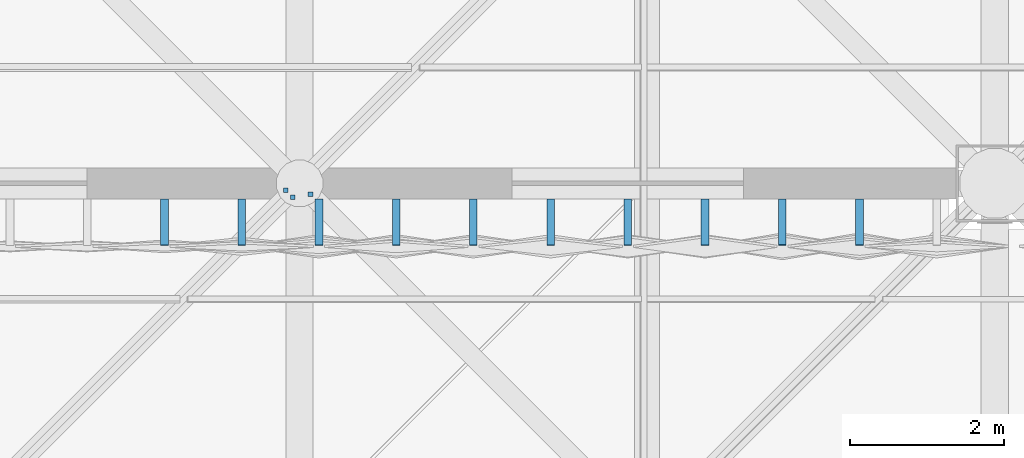
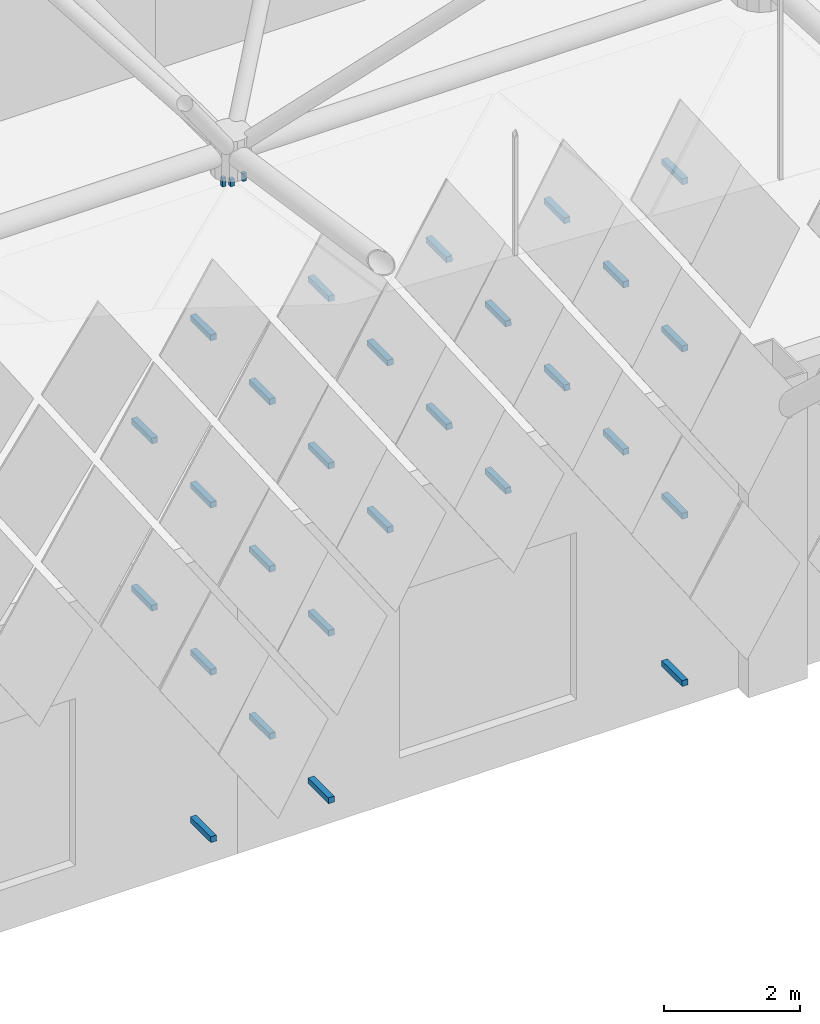
# One storey, part 350 of 437: 30 discrete accessories.
"""IFC4 building model written with IfcOpenShell, lengths in metres."""

from ifc_helpers import new_model, si_unit, direction, frame, origin, place, context, subcontext, project, spatial, polyline, outline, extrude, material, type_object, element, save


model = new_model("IFC4")

# Units and contexts
model_context = context("Model", 3, precision=1e-05, world=origin(), true_north=direction((0.0, 1.0)))
body_context = subcontext(model_context, "Body", "Model", "MODEL_VIEW")
ifc_project = project(units=[si_unit("LENGTHUNIT", "METRE"), si_unit("AREAUNIT", "SQUARE_METRE"), si_unit("VOLUMEUNIT", "CUBIC_METRE"), si_unit("PLANEANGLEUNIT", "RADIAN"), si_unit("MASSUNIT", "GRAM", prefix="KILO")], contexts=[model_context])

# Site, building, storey
site_placement = place(None, origin())
site = spatial("IfcSite", under=ifc_project, at=site_placement, CompositionType="ELEMENT")
building_placement = place(site_placement, origin())
building = spatial("IfcBuilding", under=site, at=building_placement, Name="Opaline Strait Convention Centre", CompositionType="ELEMENT")
storey_placement = place(building_placement, frame((0.0, 0.0, 11.5)))
storey = spatial("IfcBuildingStorey", under=building, at=storey_placement, Name="L02", CompositionType="ELEMENT", Elevation=11.5)

# Discrete accessories
ifc_material = material(Name="Steel Q355B", Category="steel")
discrete_accessory_type_1 = type_object("IfcDiscreteAccessoryType", Name="Soffit hanger 60x60 steel", PredefinedType="BRACKET", material=ifc_material)
discrete_accessory_1_placement = place(storey_placement, frame((0.0, 0.0, 12.00830078125)))
element("IfcDiscreteAccessory", 1, at=discrete_accessory_1_placement, inside=storey, type_object=discrete_accessory_type_1, Name="Soffit hanger", PredefinedType="BRACKET", context=body_context, shape_type="SweptSolid", body=[
    extrude(outline(polyline([(125.880859375, 53.791015625), (125.940673828125, 53.791015625), (125.940673828125, 53.85107421875), (125.880859375, 53.85107421875), (125.880859375, 53.791015625)])), origin(), (0.0, 0.0, 1.0), 0.131591796875),
])
discrete_accessory_2_placement = place(storey_placement, frame((0.0, 0.0, 11.97998046875)))
element("IfcDiscreteAccessory", 2, at=discrete_accessory_2_placement, inside=storey, type_object=discrete_accessory_type_1, Name="Soffit hanger", PredefinedType="BRACKET", context=body_context, shape_type="SweptSolid", body=[
    extrude(outline(polyline([(125.791015625, 53.880859375), (125.85107421875, 53.880859375), (125.85107421875, 53.940673828125), (125.791015625, 53.940673828125), (125.791015625, 53.880859375)])), origin(), (0.0, 0.0, 1.0), 0.159912109375),
])
discrete_accessory_3_placement = place(storey_placement, frame((0.0, 0.0, 11.9990234375)))
element("IfcDiscreteAccessory", 3, at=discrete_accessory_3_placement, inside=storey, type_object=discrete_accessory_type_1, Name="Soffit hanger", PredefinedType="BRACKET", context=body_context, shape_type="SweptSolid", body=[
    extrude(outline(polyline([(126.111328125, 53.82861328125), (126.17138671875, 53.82861328125), (126.17138671875, 53.888671875), (126.111328125, 53.888671875), (126.111328125, 53.82861328125)])), origin(), (0.0, 0.0, 1.0), 0.140869140625),
])
discrete_accessory_type_2 = type_object("IfcDiscreteAccessoryType", Name="Tile bracket 100x100 steel", PredefinedType="BRACKET", material=ifc_material)
discrete_accessory_4_placement = place(storey_placement, frame((125.199951171875, 53.800048828125, 0.89208984375), z_axis=(1.0, 0.0, 0.0), x_axis=(0.0, 1.0, 0.0)))
element("IfcDiscreteAccessory", 4, at=discrete_accessory_4_placement, inside=storey, type_object=discrete_accessory_type_2, Name="Tile bracket XT11 S", PredefinedType="BRACKET", context=body_context, shape_type="SweptSolid", body=[
    extrude(outline(polyline([(0.0, -0.050048828125), (0.0, 0.050048828125), (-0.59521484375, 0.050048828125), (-0.604736328125, -0.050048828125), (0.0, -0.050048828125)])), origin(), (0.0, 0.0, 1.0), 0.10009765625),
])
discrete_accessory_5_placement = place(storey_placement, frame((127.199951171875, 53.800048828125, 0.89208984375), z_axis=(1.0, 0.0, 0.0), x_axis=(0.0, 1.0, 0.0)))
element("IfcDiscreteAccessory", 5, at=discrete_accessory_5_placement, inside=storey, type_object=discrete_accessory_type_2, Name="Tile bracket XT12 S", PredefinedType="BRACKET", context=body_context, shape_type="SweptSolid", body=[
    extrude(outline(polyline([(0.0, -0.050048828125), (0.0, 0.050048828125), (-0.5947265625, 0.050048828125), (-0.605224609375, -0.050048828125), (0.0, -0.050048828125)])), origin(), (0.0, 0.0, 1.0), 0.10009765625),
])
discrete_accessory_6_placement = place(storey_placement, frame((133.199951171875, 53.800048828125, 0.89208984375), z_axis=(1.0, 0.0, 0.0), x_axis=(0.0, 1.0, 0.0)))
element("IfcDiscreteAccessory", 6, at=discrete_accessory_6_placement, inside=storey, type_object=discrete_accessory_type_2, Name="Tile bracket XT05 S", PredefinedType="BRACKET", context=body_context, shape_type="SweptSolid", body=[
    extrude(outline(polyline([(0.0, -0.050048828125), (0.0, 0.050048828125), (-0.597900390625, 0.050048828125), (-0.602294921875, -0.050048828125), (0.0, -0.050048828125)])), origin(), (0.0, 0.0, 1.0), 0.10009765625),
])
discrete_accessory_7_placement = place(storey_placement, frame((126.199951171875, 53.800048828125, 2.39208984375), z_axis=(1.0, 0.0, 0.0), x_axis=(0.0, 1.0, 0.0)))
element("IfcDiscreteAccessory", 7, at=discrete_accessory_7_placement, inside=storey, type_object=discrete_accessory_type_2, Name="Tile bracket XT12 S", PredefinedType="BRACKET", context=body_context, shape_type="SweptSolid", body=[
    extrude(outline(polyline([(0.0, -0.050048828125), (0.0, 0.050048828125), (-0.5947265625, 0.050048828125), (-0.605224609375, -0.050048828125), (0.0, -0.050048828125)])), origin(), (0.0, 0.0, 1.0), 0.10009765625),
])
discrete_accessory_8_placement = place(storey_placement, frame((125.199951171875, 53.800048828125, 3.89208984375), z_axis=(1.0, 0.0, 0.0), x_axis=(0.0, 1.0, 0.0)))
element("IfcDiscreteAccessory", 8, at=discrete_accessory_8_placement, inside=storey, type_object=discrete_accessory_type_2, Name="Tile bracket XT09 S", PredefinedType="BRACKET", context=body_context, shape_type="SweptSolid", body=[
    extrude(outline(polyline([(0.0, -0.050048828125), (0.0, 0.050048828125), (-0.595947265625, 0.050048828125), (-0.60400390625, -0.050048828125), (0.0, -0.050048828125)])), origin(), (0.0, 0.0, 1.0), 0.10009765625),
])
discrete_accessory_9_placement = place(storey_placement, frame((127.199951171875, 53.800048828125, 3.89208984375), z_axis=(1.0, 0.0, 0.0), x_axis=(0.0, 1.0, 0.0)))
element("IfcDiscreteAccessory", 9, at=discrete_accessory_9_placement, inside=storey, type_object=discrete_accessory_type_2, Name="Tile bracket XT12 S", PredefinedType="BRACKET", context=body_context, shape_type="SweptSolid", body=[
    extrude(outline(polyline([(0.0, -0.050048828125), (0.0, 0.050048828125), (-0.5947265625, 0.050048828125), (-0.605224609375, -0.050048828125), (0.0, -0.050048828125)])), origin(), (0.0, 0.0, 1.0), 0.10009765625),
])
discrete_accessory_10_placement = place(storey_placement, frame((133.199951171875, 53.800048828125, 3.89208984375), z_axis=(1.0, 0.0, 0.0), x_axis=(0.0, 1.0, 0.0)))
element("IfcDiscreteAccessory", 10, at=discrete_accessory_10_placement, inside=storey, type_object=discrete_accessory_type_2, Name="Tile bracket XT09 S", PredefinedType="BRACKET", context=body_context, shape_type="SweptSolid", body=[
    extrude(outline(polyline([(0.0, -0.050048828125), (0.0, 0.050048828125), (-0.595947265625, 0.050048828125), (-0.60400390625, -0.050048828125), (0.0, -0.050048828125)])), origin(), (0.0, 0.0, 1.0), 0.10009765625),
])
discrete_accessory_11_placement = place(storey_placement, frame((124.199951171875, 53.800048828125, 5.39208984375), z_axis=(1.0, 0.0, 0.0), x_axis=(0.0, 1.0, 0.0)))
element("IfcDiscreteAccessory", 11, at=discrete_accessory_11_placement, inside=storey, type_object=discrete_accessory_type_2, Name="Tile bracket XT06 S", PredefinedType="BRACKET", context=body_context, shape_type="SweptSolid", body=[
    extrude(outline(polyline([(0.0, -0.050048828125), (0.0, 0.050048828125), (-0.597412109375, 0.050048828125), (-0.6025390625, -0.050048828125), (0.0, -0.050048828125)])), origin(), (0.0, 0.0, 1.0), 0.10009765625),
])
discrete_accessory_12_placement = place(storey_placement, frame((126.199951171875, 53.800048828125, 5.39208984375), z_axis=(1.0, 0.0, 0.0), x_axis=(0.0, 1.0, 0.0)))
element("IfcDiscreteAccessory", 12, at=discrete_accessory_12_placement, inside=storey, type_object=discrete_accessory_type_2, Name="Tile bracket XT10 S", PredefinedType="BRACKET", context=body_context, shape_type="SweptSolid", body=[
    extrude(outline(polyline([(0.0, -0.050048828125), (0.0, 0.050048828125), (-0.595703125, 0.050048828125), (-0.604248046875, -0.050048828125), (0.0, -0.050048828125)])), origin(), (0.0, 0.0, 1.0), 0.10009765625),
])
for number, where, z_axis, x_axis, name in (
    (13, (128.199951171875, 53.800048828125, 5.39208984375), (1.0, 0.0, 0.0), (0.0, 1.0, 0.0), "Tile bracket XT12 S"),
    (14, (130.199951171875, 53.800048828125, 5.39208984375), (1.0, 0.0, 0.0), (0.0, 1.0, 0.0), "Tile bracket XT12 S"),
    (15, (132.199951171875, 53.800048828125, 5.39208984375), (1.0, 0.0, 0.0), (0.0, 1.0, 0.0), "Tile bracket XT12 S"),
):
    element("IfcDiscreteAccessory", number, at=place(storey_placement, frame(where, z_axis=z_axis, x_axis=x_axis)), inside=storey, type_object=discrete_accessory_type_2, Name=name, PredefinedType="BRACKET", context=body_context, shape_type="SweptSolid", body=[
        extrude(outline(polyline([(0.0, -0.050048828125), (0.0, 0.050048828125), (-0.5947265625, 0.050048828125), (-0.605224609375, -0.050048828125), (0.0, -0.050048828125)])), origin(), (0.0, 0.0, 1.0), 0.10009765625),
    ])
discrete_accessory_13_placement = place(storey_placement, frame((125.199951171875, 53.800048828125, 6.89208984375), z_axis=(1.0, 0.0, 0.0), x_axis=(0.0, 1.0, 0.0)))
element("IfcDiscreteAccessory", 16, at=discrete_accessory_13_placement, inside=storey, type_object=discrete_accessory_type_2, Name="Tile bracket XT06 S", PredefinedType="BRACKET", context=body_context, shape_type="SweptSolid", body=[
    extrude(outline(polyline([(0.0, -0.050048828125), (0.0, 0.050048828125), (-0.597412109375, 0.050048828125), (-0.6025390625, -0.050048828125), (0.0, -0.050048828125)])), origin(), (0.0, 0.0, 1.0), 0.10009765625),
])
discrete_accessory_14_placement = place(storey_placement, frame((127.199951171875, 53.800048828125, 6.89208984375), z_axis=(1.0, 0.0, 0.0), x_axis=(0.0, 1.0, 0.0)))
element("IfcDiscreteAccessory", 17, at=discrete_accessory_14_placement, inside=storey, type_object=discrete_accessory_type_2, Name="Tile bracket XT10 S", PredefinedType="BRACKET", context=body_context, shape_type="SweptSolid", body=[
    extrude(outline(polyline([(0.0, -0.050048828125), (0.0, 0.050048828125), (-0.595703125, 0.050048828125), (-0.604248046875, -0.050048828125), (0.0, -0.050048828125)])), origin(), (0.0, 0.0, 1.0), 0.10009765625),
])
for number, where, z_axis, x_axis, name in (
    (18, (129.199951171875, 53.800048828125, 6.89208984375), (1.0, 0.0, 0.0), (0.0, 1.0, 0.0), "Tile bracket XT12 S"),
    (19, (131.199951171875, 53.800048828125, 6.89208984375), (1.0, 0.0, 0.0), (0.0, 1.0, 0.0), "Tile bracket XT12 S"),
    (20, (133.199951171875, 53.800048828125, 6.89208984375), (1.0, 0.0, 0.0), (0.0, 1.0, 0.0), "Tile bracket XT12 S"),
):
    element("IfcDiscreteAccessory", number, at=place(storey_placement, frame(where, z_axis=z_axis, x_axis=x_axis)), inside=storey, type_object=discrete_accessory_type_2, Name=name, PredefinedType="BRACKET", context=body_context, shape_type="SweptSolid", body=[
        extrude(outline(polyline([(0.0, -0.050048828125), (0.0, 0.050048828125), (-0.5947265625, 0.050048828125), (-0.605224609375, -0.050048828125), (0.0, -0.050048828125)])), origin(), (0.0, 0.0, 1.0), 0.10009765625),
    ])
discrete_accessory_15_placement = place(storey_placement, frame((124.199951171875, 53.800048828125, 8.39208984375), z_axis=(1.0, 0.0, 0.0), x_axis=(0.0, 1.0, 0.0)))
element("IfcDiscreteAccessory", 21, at=discrete_accessory_15_placement, inside=storey, type_object=discrete_accessory_type_2, Name="Tile bracket XT04 S", PredefinedType="BRACKET", context=body_context, shape_type="SweptSolid", body=[
    extrude(outline(polyline([(0.0, -0.050048828125), (0.0, 0.050048828125), (-0.59814453125, 0.050048828125), (-0.601806640625, -0.050048828125), (0.0, -0.050048828125)])), origin(), (0.0, 0.0, 1.0), 0.10009765625),
])
discrete_accessory_16_placement = place(storey_placement, frame((126.199951171875, 53.800048828125, 8.39208984375), z_axis=(1.0, 0.0, 0.0), x_axis=(0.0, 1.0, 0.0)))
element("IfcDiscreteAccessory", 22, at=discrete_accessory_16_placement, inside=storey, type_object=discrete_accessory_type_2, Name="Tile bracket XT07 S", PredefinedType="BRACKET", context=body_context, shape_type="SweptSolid", body=[
    extrude(outline(polyline([(0.0, -0.050048828125), (0.0, 0.050048828125), (-0.596923828125, 0.050048828125), (-0.60302734375, -0.050048828125), (0.0, -0.050048828125)])), origin(), (0.0, 0.0, 1.0), 0.10009765625),
])
discrete_accessory_17_placement = place(storey_placement, frame((128.199951171875, 53.800048828125, 8.39208984375), z_axis=(1.0, 0.0, 0.0), x_axis=(0.0, 1.0, 0.0)))
element("IfcDiscreteAccessory", 23, at=discrete_accessory_17_placement, inside=storey, type_object=discrete_accessory_type_2, Name="Tile bracket XT10 S", PredefinedType="BRACKET", context=body_context, shape_type="SweptSolid", body=[
    extrude(outline(polyline([(0.0, -0.050048828125), (0.0, 0.050048828125), (-0.595703125, 0.050048828125), (-0.604248046875, -0.050048828125), (0.0, -0.050048828125)])), origin(), (0.0, 0.0, 1.0), 0.10009765625),
])
discrete_accessory_18_placement = place(storey_placement, frame((130.199951171875, 53.800048828125, 8.39208984375), z_axis=(1.0, 0.0, 0.0), x_axis=(0.0, 1.0, 0.0)))
element("IfcDiscreteAccessory", 24, at=discrete_accessory_18_placement, inside=storey, type_object=discrete_accessory_type_2, Name="Tile bracket XT11 S", PredefinedType="BRACKET", context=body_context, shape_type="SweptSolid", body=[
    extrude(outline(polyline([(0.0, -0.050048828125), (0.0, 0.050048828125), (-0.59521484375, 0.050048828125), (-0.604736328125, -0.050048828125), (0.0, -0.050048828125)])), origin(), (0.0, 0.0, 1.0), 0.10009765625),
])
discrete_accessory_19_placement = place(storey_placement, frame((132.199951171875, 53.800048828125, 8.39208984375), z_axis=(1.0, 0.0, 0.0), x_axis=(0.0, 1.0, 0.0)))
element("IfcDiscreteAccessory", 25, at=discrete_accessory_19_placement, inside=storey, type_object=discrete_accessory_type_2, Name="Tile bracket XT13 S", PredefinedType="BRACKET", context=body_context, shape_type="SweptSolid", body=[
    extrude(outline(polyline([(0.0, -0.050048828125), (0.0, 0.050048828125), (-0.59423828125, 0.050048828125), (-0.605712890625, -0.050048828125), (0.0, -0.050048828125)])), origin(), (0.0, 0.0, 1.0), 0.10009765625),
])
discrete_accessory_20_placement = place(storey_placement, frame((125.199951171875, 53.800048828125, 9.89208984375), z_axis=(1.0, 0.0, 0.0), x_axis=(0.0, 1.0, 0.0)))
element("IfcDiscreteAccessory", 26, at=discrete_accessory_20_placement, inside=storey, type_object=discrete_accessory_type_2, Name="Tile bracket XT04 S", PredefinedType="BRACKET", context=body_context, shape_type="SweptSolid", body=[
    extrude(outline(polyline([(0.0, -0.050048828125), (0.0, 0.050048828125), (-0.59814453125, 0.050048828125), (-0.601806640625, -0.050048828125), (0.0, -0.050048828125)])), origin(), (0.0, 0.0, 1.0), 0.10009765625),
])
discrete_accessory_21_placement = place(storey_placement, frame((127.199951171875, 53.800048828125, 9.89208984375), z_axis=(1.0, 0.0, 0.0), x_axis=(0.0, 1.0, 0.0)))
element("IfcDiscreteAccessory", 27, at=discrete_accessory_21_placement, inside=storey, type_object=discrete_accessory_type_2, Name="Tile bracket XT06 S", PredefinedType="BRACKET", context=body_context, shape_type="SweptSolid", body=[
    extrude(outline(polyline([(0.0, -0.050048828125), (0.0, 0.050048828125), (-0.597412109375, 0.050048828125), (-0.6025390625, -0.050048828125), (0.0, -0.050048828125)])), origin(), (0.0, 0.0, 1.0), 0.10009765625),
])
discrete_accessory_22_placement = place(storey_placement, frame((129.199951171875, 53.800048828125, 9.89208984375), z_axis=(1.0, 0.0, 0.0), x_axis=(0.0, 1.0, 0.0)))
element("IfcDiscreteAccessory", 28, at=discrete_accessory_22_placement, inside=storey, type_object=discrete_accessory_type_2, Name="Tile bracket XT09 S", PredefinedType="BRACKET", context=body_context, shape_type="SweptSolid", body=[
    extrude(outline(polyline([(0.0, -0.050048828125), (0.0, 0.050048828125), (-0.595947265625, 0.050048828125), (-0.60400390625, -0.050048828125), (0.0, -0.050048828125)])), origin(), (0.0, 0.0, 1.0), 0.10009765625),
])
discrete_accessory_23_placement = place(storey_placement, frame((131.199951171875, 53.800048828125, 9.89208984375), z_axis=(1.0, 0.0, 0.0), x_axis=(0.0, 1.0, 0.0)))
element("IfcDiscreteAccessory", 29, at=discrete_accessory_23_placement, inside=storey, type_object=discrete_accessory_type_2, Name="Tile bracket XT11 S", PredefinedType="BRACKET", context=body_context, shape_type="SweptSolid", body=[
    extrude(outline(polyline([(0.0, -0.050048828125), (0.0, 0.050048828125), (-0.59521484375, 0.050048828125), (-0.604736328125, -0.050048828125), (0.0, -0.050048828125)])), origin(), (0.0, 0.0, 1.0), 0.10009765625),
])
discrete_accessory_24_placement = place(storey_placement, frame((133.199951171875, 53.800048828125, 9.89208984375), z_axis=(1.0, 0.0, 0.0), x_axis=(0.0, 1.0, 0.0)))
element("IfcDiscreteAccessory", 30, at=discrete_accessory_24_placement, inside=storey, type_object=discrete_accessory_type_2, Name="Tile bracket XT13 S", PredefinedType="BRACKET", context=body_context, shape_type="SweptSolid", body=[
    extrude(outline(polyline([(0.0, -0.050048828125), (0.0, 0.050048828125), (-0.59423828125, 0.050048828125), (-0.605712890625, -0.050048828125), (0.0, -0.050048828125)])), origin(), (0.0, 0.0, 1.0), 0.10009765625),
])

save(model, "model.ifc")
